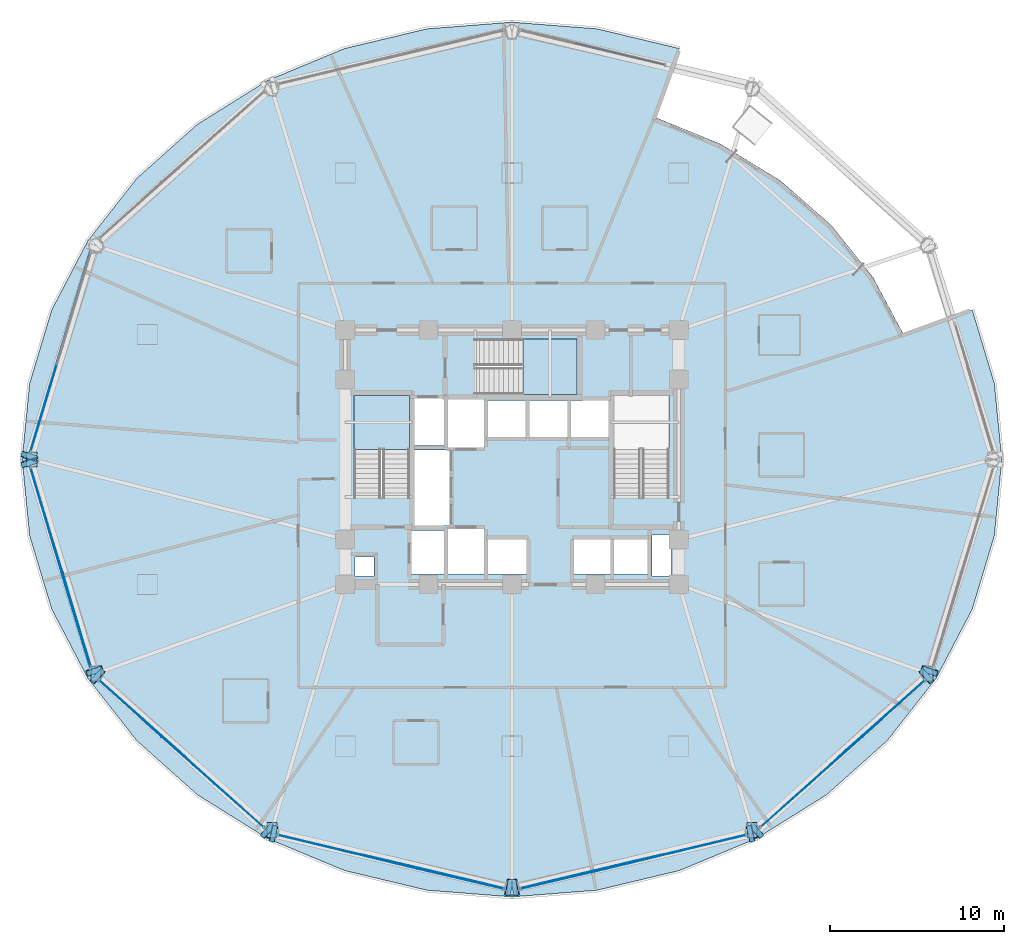
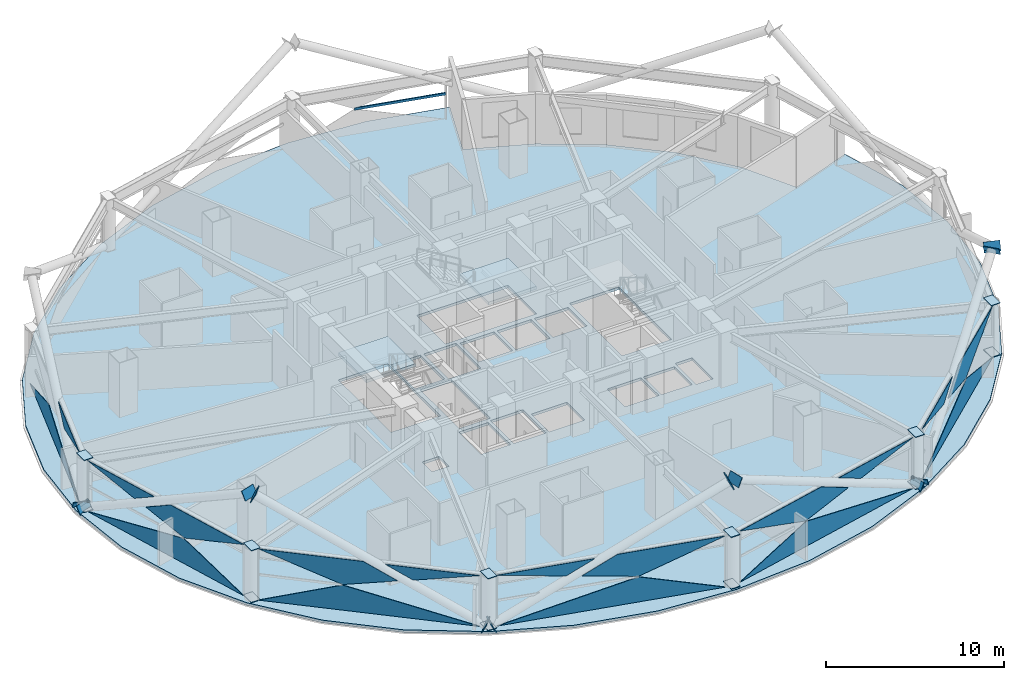
# One storey, part 22 of 33: 41 plates, 3 slabs, 1 member, 9 elements without a shape of their own.
"""IFC4 building model written with IfcOpenShell, lengths in metres."""

from ifc_helpers import new_model, si_unit, direction, frame, origin, origin_2d, place, context, subcontext, project, spatial, polyline, hollow_rectangle, outline, extrude, material, layer, layer_set, material_profile, profile_set, type_object, element, aggregate, save


model = new_model("IFC4")

# Units and contexts
model_context = context("Model", 3, precision=1e-05, world=origin(), true_north=direction((0.0, 1.0)))
body_context = subcontext(model_context, "Body", "Model", "MODEL_VIEW")
ifc_project = project(units=[si_unit("LENGTHUNIT", "METRE"), si_unit("AREAUNIT", "SQUARE_METRE"), si_unit("VOLUMEUNIT", "CUBIC_METRE"), si_unit("PLANEANGLEUNIT", "RADIAN"), si_unit("MASSUNIT", "GRAM", prefix="KILO")], contexts=[model_context])

# Site, building, storey
site_placement = place(None, origin())
site = spatial("IfcSite", under=ifc_project, at=site_placement, CompositionType="ELEMENT")
building_placement = place(site_placement, origin())
building = spatial("IfcBuilding", under=site, at=building_placement, Name="Vantalir Tower", CompositionType="ELEMENT")
storey_placement = place(building_placement, frame((0.0, 0.0, 72.0)))
storey = spatial("IfcBuildingStorey", under=building, at=storey_placement, Name="L17", CompositionType="ELEMENT", Elevation=72.0)

# Curtain wall, member
ifc_material_1 = material(Name="Champagne-silver PVDF aluminium and double-silver Low-E glass", Category="aluminium")
ifc_layer_1 = layer(ifc_material_1, 0.18994140625)
ifc_layer_set_1 = layer_set([ifc_layer_1], Name="Champagne-silver PVDF aluminium and double-silver Low-E glass")
curtain_wall_type = type_object("IfcCurtainWallType", Name="CW-DIAMOND-Z1", PredefinedType="USERDEFINED", material=ifc_layer_set_1)
curtain_wall_1_placement = place(storey_placement, origin())
curtain_wall_1 = element("IfcCurtainWall", 1, at=curtain_wall_1_placement, inside=storey, type_object=curtain_wall_type, Name="L17 Quilted Pyramid-Diamond Curtain Wall S03", ObjectType="UNITISED CURTAIN WALL", PredefinedType="USERDEFINED")
ifc_material_2 = material(Name="Champagne-silver PVDF aluminium 6063-T6", Category="aluminium")
ifc_material_profile = material_profile(ifc_material_2, hollow_rectangle(XDim=0.074951171875, YDim=0.159912109375, WallThickness=0.00390625, at=origin_2d()), Name="Champagne-silver PVDF aluminium 6063-T6")
ifc_profile_set = profile_set([ifc_material_profile], Name="Champagne-silver PVDF aluminium 6063-T6")
member_type = type_object("IfcMemberType", Name="CWT-160x75", PredefinedType="USERDEFINED", material=ifc_profile_set)
member_placement = place(storey_placement, frame((40.322998046875, 47.7119140625, 1.784912109375), z_axis=(-0.971605075391, 0.236608489862, 0.0), x_axis=(-0.236608489862, -0.971605075391, 0.0)))
member = element("IfcMember", 2, at=member_placement, type_object=member_type, Name="CW-L17-S03 Pyramid Fold Ridge Transom", ObjectType="TRANSOM", PredefinedType="USERDEFINED", context=body_context, shape_type="SweptSolid", body=[
    extrude(hollow_rectangle(XDim=0.074951171875, YDim=0.159912109375, WallThickness=0.00390625, at=origin_2d()), origin(), (0.0, 0.0, 1.0), 5.33447265625),
])
aggregate(curtain_wall_1, [member])

# Curtain wall, plates
curtain_wall_2_placement = place(storey_placement, origin())
curtain_wall_2 = element("IfcCurtainWall", 3, at=curtain_wall_2_placement, inside=storey, type_object=curtain_wall_type, Name="L17 Quilted Pyramid-Diamond Curtain Wall S06", ObjectType="UNITISED CURTAIN WALL", PredefinedType="USERDEFINED")
ifc_material_3 = material(Name="Double-silver Low-E laminated glass IGU", Category="glass")
ifc_layer_2 = layer(ifc_material_3, 0.028076171875)
ifc_layer_set_2 = layer_set([ifc_layer_2], Name="Double-silver Low-E laminated glass IGU")
plate_type_1 = type_object("IfcPlateType", Name="CWP-IGU-28", PredefinedType="CURTAIN_PANEL", material=ifc_layer_set_2)
plate_1_placement = place(storey_placement, frame((7.25048828125, 36.944580078125, 0.046630859375), z_axis=(0.957577021305, -0.287845629193, 0.013825412226), x_axis=(-0.287872873101, -0.957668631896, -2.0365962e-05)))
plate_1 = element("IfcPlate", 4, at=plate_1_placement, type_object=plate_type_1, Name="CW-L17-S06 Pyramid Diamond Facet 1L", PredefinedType="CURTAIN_PANEL", context=body_context, shape_type="SweptSolid", body=[
    extrude(outline(polyline([(0.0, 0.0), (11.987679482251043, 1.5178830414797062e-18), (4.561252137048785, -1.7270646004700452), (0.0, 0.0)])), origin(), (0.0, 0.0, -1.0), 0.028076171875),
])
plate_2_placement = place(storey_placement, frame((5.24365234375, 30.380126953125, 3.52392578125), z_axis=(-0.957590852054, 0.287797314008, 0.013873215627), x_axis=(-0.287824380109, -0.957683206465, 4.7653043e-05)))
plate_2 = element("IfcPlate", 5, at=plate_2_placement, type_object=plate_type_1, Name="CW-L17-S06 Pyramid Diamond Facet 2U Infill Light", PredefinedType="CURTAIN_PANEL", context=body_context, shape_type="SweptSolid", body=[
    extrude(outline(polyline([(0.0, 0.0), (5.123295581989194, 2.710505431213761e-19), (1.5151835797944286, -0.8390201369182241), (0.0, 0.0)])), origin(), (0.0, 0.0, -1.0), 0.028076171875),
])
aggregate(curtain_wall_2, [plate_1, plate_2])

curtain_wall_3_placement = place(storey_placement, origin())
curtain_wall_3 = element("IfcCurtainWall", 6, at=curtain_wall_3_placement, inside=storey, type_object=curtain_wall_type, Name="L17 Quilted Pyramid-Diamond Curtain Wall S07", ObjectType="UNITISED CURTAIN WALL", PredefinedType="USERDEFINED")
plate_3_placement = place(storey_placement, frame((3.799560546875, 24.53564453125, 0.04638671875), z_axis=(0.957584028296, 0.28782325145, 0.013805965281), x_axis=(0.287850416265, -0.95767538208, 2.0364373e-05)))
plate_3 = element("IfcPlate", 7, at=plate_3_placement, type_object=plate_type_1, Name="CW-L17-S07 Pyramid Diamond Facet 1L", PredefinedType="CURTAIN_PANEL", context=body_context, shape_type="SweptSolid", body=[
    extrude(outline(polyline([(0.0, 0.0), (11.988614708820492, -7.020209066843641e-18), (7.426895515259824, -1.7270641386308458), (0.0, 0.0)])), origin(), (0.0, 0.0, -1.0), 0.028076171875),
])
plate_4_placement = place(storey_placement, frame((5.625, 18.46240234375, 3.5234375), z_axis=(-0.957579683842, -0.287837405297, 0.013812212168), x_axis=(0.2878648631, -0.957671039863, -1.91586e-07)))
plate_4 = element("IfcPlate", 8, at=plate_4_placement, type_object=plate_type_1, Name="CW-L17-S07 Pyramid Diamond Facet 2U", PredefinedType="CURTAIN_PANEL", context=body_context, shape_type="SweptSolid", body=[
    extrude(outline(polyline([(0.0, 0.0), (5.6469666656558335, 0.0), (1.0852122774741506, -1.7269711739384859), (-1.8755327459210014, -1.0384305784933598), (0.0, 0.0)])), origin(), (0.0, 0.0, -1.0), 0.028076171875),
])
plate_5_placement = place(storey_placement, frame((3.76904296875, 24.5263671875, 3.524169921875), z_axis=(-0.957599200058, -0.287771183012, 0.013839012823), x_axis=(0.287798111792, -0.957691100814, -4.7648694e-05)))
plate_5 = element("IfcPlate", 9, at=plate_5_placement, type_object=plate_type_1, Name="CW-L17-S07 Pyramid Diamond Facet 2U Infill Light", PredefinedType="CURTAIN_PANEL", context=body_context, shape_type="SweptSolid", body=[
    extrude(outline(polyline([(0.0, 0.0), (5.123763202669769, -3.415236843329339e-18), (3.608346127762809, -0.8390197437516272), (0.0, 0.0)])), origin(), (0.0, 0.0, -1.0), 0.028076171875),
])
aggregate(curtain_wall_3, [plate_3, plate_4, plate_5])

curtain_wall_4_placement = place(storey_placement, origin())
curtain_wall_4 = element("IfcCurtainWall", 10, at=curtain_wall_4_placement, inside=storey, type_object=curtain_wall_type, Name="L17 Quilted Pyramid-Diamond Curtain Wall S08", ObjectType="UNITISED CURTAIN WALL", PredefinedType="USERDEFINED")
plate_6_placement = place(storey_placement, frame((7.751953125, 12.267333984375, 0.04638671875), z_axis=(0.665378586207, 0.746382477612, 0.013584333999), x_axis=(0.746451527572, -0.665439791879, -1.9251838e-05)))
plate_6 = element("IfcPlate", 11, at=plate_6_placement, type_object=plate_type_1, Name="CW-L17-S08 Pyramid Diamond Facet 1L", PredefinedType="CURTAIN_PANEL", context=body_context, shape_type="SweptSolid", body=[
    extrude(outline(polyline([(0.0, 0.0), (12.681418824235399, 1.0842021724855044e-17), (4.820941636275455, -1.7275471372424813), (0.0, 0.0)])), origin(), (0.0, 0.0, -1.0), 0.028076171875),
])
plate_7_placement = place(storey_placement, frame((7.751953125, 12.267333984375, 3.5234375), z_axis=(-0.66538170346, -0.746380075695, 0.013563602257), x_axis=(0.746449108007, -0.66544250503, 4.0679196e-05)))
plate_7 = element("IfcPlate", 12, at=plate_7_placement, type_object=plate_type_1, Name="CW-L17-S08 Pyramid Diamond Facet 2U", PredefinedType="CURTAIN_PANEL", context=body_context, shape_type="SweptSolid", body=[
    extrude(outline(polyline([(0.0, 0.0), (5.994872137092678, 8.809142651444724e-18), (7.9635532552939114, -1.0370404427822784), (4.820904717025381, -1.7274060711379469), (0.0, 0.0)])), origin(), (0.0, 0.0, -1.0), 0.028076171875),
])
plate_8_placement = place(storey_placement, frame((13.150146484375, 7.412109375, 3.524169921875), z_axis=(-0.665375855815, -0.746386356939, 0.013504690773), x_axis=(0.746454427981, -0.665436538633, 0.0)))
plate_8 = element("IfcPlate", 13, at=plate_8_placement, type_object=plate_type_1, Name="CW-L17-S08 Pyramid Diamond Facet 2U Infill Light", PredefinedType="CURTAIN_PANEL", context=body_context, shape_type="SweptSolid", body=[
    extrude(outline(polyline([(0.0, 0.0), (5.4211358492731545, -6.938893903907228e-18), (1.596068540816546, -0.8406528331038364), (0.0, 0.0)])), origin(), (0.0, 0.0, -1.0), 0.028076171875),
])
aggregate(curtain_wall_4, [plate_6, plate_7, plate_8])

curtain_wall_5_placement = place(storey_placement, origin())
curtain_wall_5 = element("IfcCurtainWall", 14, at=curtain_wall_5_placement, inside=storey, type_object=curtain_wall_type, Name="L17 Quilted Pyramid-Diamond Curtain Wall S09", ObjectType="UNITISED CURTAIN WALL", PredefinedType="USERDEFINED")
plate_9_placement = place(storey_placement, frame((18.0517578125, 3.393310546875, 0.046142578125), z_axis=(0.232303727276, 0.972544233892, 0.013881333373), x_axis=(0.972637888716, -0.232326359029, 1.8299178e-05)))
plate_9 = element("IfcPlate", 15, at=plate_9_placement, type_object=plate_type_1, Name="CW-L17-S09 Pyramid Diamond Facet 1L", PredefinedType="CURTAIN_PANEL", context=body_context, shape_type="SweptSolid", body=[
    extrude(outline(polyline([(0.0, 0.0), (13.341617317761697, -9.269928574751063e-18), (8.265454593161866, -1.7277984263753872), (0.0, 0.0)])), origin(), (0.0, 0.0, -1.0), 0.028076171875),
])
plate_10_placement = place(storey_placement, frame((24.8984375, 1.7578125, 3.523681640625), z_axis=(-0.232302875493, -0.972545099834, 0.013834841061), x_axis=(0.972638187668, -0.232325108179, 1.64873e-07)))
plate_10 = element("IfcPlate", 16, at=plate_10_placement, type_object=plate_type_1, Name="CW-L17-S09 Pyramid Diamond Facet 2U", PredefinedType="CURTAIN_PANEL", context=body_context, shape_type="SweptSolid", body=[
    extrude(outline(polyline([(0.0, 0.0), (6.302307932058378, 3.469446951953614e-18), (1.2261132783989568, -1.727704616339445), (-2.071173237141784, -1.0384280813563243), (0.0, 0.0)])), origin(), (0.0, 0.0, -1.0), 0.028076171875),
])
plate_11_placement = place(storey_placement, frame((18.044189453125, 3.3623046875, 3.524169921875), z_axis=(-0.23230347241, -0.972544223394, 0.013886333178), x_axis=(0.97263800493, -0.232325873218, 0.0)))
plate_11 = element("IfcPlate", 17, at=plate_11_placement, type_object=plate_type_1, Name="CW-L17-S09 Pyramid Diamond Facet 2U Infill Light", PredefinedType="CURTAIN_PANEL", context=body_context, shape_type="SweptSolid", body=[
    extrude(outline(polyline([(0.0, 0.0), (5.7240029530844145, 0.0), (4.039774659661737, -0.8445638545300994), (0.0, 0.0)])), origin(), (0.0, 0.0, -1.0), 0.028076171875),
])
aggregate(curtain_wall_5, [plate_9, plate_10, plate_11])

curtain_wall_6_placement = place(storey_placement, origin())
curtain_wall_6 = element("IfcCurtainWall", 18, at=curtain_wall_6_placement, inside=storey, type_object=curtain_wall_type, Name="L17 Quilted Pyramid-Diamond Curtain Wall S10", ObjectType="UNITISED CURTAIN WALL", PredefinedType="USERDEFINED")
plate_12_placement = place(storey_placement, frame((31.9716796875, 0.293701171875, 0.04638671875), z_axis=(-0.232303727276, 0.972544233892, 0.013881333373), x_axis=(0.972637888716, 0.232326359029, -1.8299178e-05)))
plate_12 = element("IfcPlate", 19, at=plate_12_placement, type_object=plate_type_1, Name="CW-L17-S10 Pyramid Diamond Facet 1L", PredefinedType="CURTAIN_PANEL", context=body_context, shape_type="SweptSolid", body=[
    extrude(outline(polyline([(0.0, 0.0), (13.341617317761697, 9.269928574751063e-18), (5.07616272459983, -1.7277984263753872), (0.0, 0.0)])), origin(), (0.0, 0.0, -1.0), 0.028076171875),
])
plate_13_placement = place(storey_placement, frame((31.9716796875, 0.293701171875, 3.523681640625), z_axis=(0.232302875493, -0.972545099834, 0.013834841061), x_axis=(0.972638187668, 0.232325108179, -1.64873e-07)))
plate_13 = element("IfcPlate", 20, at=plate_13_placement, type_object=plate_type_1, Name="CW-L17-S10 Pyramid Diamond Facet 2U", PredefinedType="CURTAIN_PANEL", context=body_context, shape_type="SweptSolid", body=[
    extrude(outline(polyline([(0.0, 0.0), (6.302307932058378, -3.469446951953614e-18), (8.373481169200161, -1.0384280813563243), (5.076194653659422, -1.727704616339445), (0.0, 0.0)])), origin(), (0.0, 0.0, -1.0), 0.028076171875),
])
plate_14_placement = place(storey_placement, frame((39.388427734375, 2.032470703125, 3.524169921875), z_axis=(0.23230347241, -0.972544223394, 0.013886333178), x_axis=(0.97263800493, 0.232325873218, 0.0)))
plate_14 = element("IfcPlate", 21, at=plate_14_placement, type_object=plate_type_1, Name="CW-L17-S10 Pyramid Diamond Facet 2U Infill Light", PredefinedType="CURTAIN_PANEL", context=body_context, shape_type="SweptSolid", body=[
    extrude(outline(polyline([(0.0, 0.0), (5.7240029530844145, 0.0), (1.684228293422677, -0.8445638545300994), (0.0, 0.0)])), origin(), (0.0, 0.0, -1.0), 0.028076171875),
])
aggregate(curtain_wall_6, [plate_12, plate_13, plate_14])

curtain_wall_7_placement = place(storey_placement, origin())
curtain_wall_7 = element("IfcCurtainWall", 22, at=curtain_wall_7_placement, inside=storey, type_object=curtain_wall_type, Name="L17 Quilted Pyramid-Diamond Curtain Wall S11", ObjectType="UNITISED CURTAIN WALL", PredefinedType="USERDEFINED")
plate_15_placement = place(storey_placement, frame((45.781982421875, 3.82861328125, 0.046142578125), z_axis=(-0.665378586207, 0.746382477612, 0.013584333999), x_axis=(0.746451527572, 0.665439791879, 1.9251838e-05)))
plate_15 = element("IfcPlate", 23, at=plate_15_placement, type_object=plate_type_1, Name="CW-L17-S11 Pyramid Diamond Facet 1L", PredefinedType="CURTAIN_PANEL", context=body_context, shape_type="SweptSolid", body=[
    extrude(outline(polyline([(0.0, 0.0), (12.681418824235399, -1.0842021724855044e-17), (7.860477187959941, -1.7275471372424813), (0.0, 0.0)])), origin(), (0.0, 0.0, -1.0), 0.028076171875),
])
plate_16_placement = place(storey_placement, frame((50.773193359375, 8.278076171875, 3.523681640625), z_axis=(0.66538170346, -0.746380075695, 0.013563602257), x_axis=(0.746449108007, 0.66544250503, -4.0679196e-05)))
plate_16 = element("IfcPlate", 24, at=plate_16_placement, type_object=plate_type_1, Name="CW-L17-S11 Pyramid Diamond Facet 2U", PredefinedType="CURTAIN_PANEL", context=body_context, shape_type="SweptSolid", body=[
    extrude(outline(polyline([(0.0, 0.0), (5.994872137092678, -8.809142651444724e-18), (1.1739674200672974, -1.7274060711379469), (-1.9686811182012338, -1.0370404427822784), (0.0, 0.0)])), origin(), (0.0, 0.0, -1.0), 0.028076171875),
])
plate_17_placement = place(storey_placement, frame((45.80322265625, 3.8046875, 3.524169921875), z_axis=(0.665375855815, -0.746386356939, 0.013504690773), x_axis=(0.746454427981, 0.665436538633, 0.0)))
plate_17 = element("IfcPlate", 25, at=plate_17_placement, type_object=plate_type_1, Name="CW-L17-S11 Pyramid Diamond Facet 2U Infill Light", PredefinedType="CURTAIN_PANEL", context=body_context, shape_type="SweptSolid", body=[
    extrude(outline(polyline([(0.0, 0.0), (5.4211358492731545, 6.938893903907228e-18), (3.825067308456609, -0.8406528331038364), (0.0, 0.0)])), origin(), (0.0, 0.0, -1.0), 0.028076171875),
])
aggregate(curtain_wall_7, [plate_15, plate_16, plate_17])

# Plates
ifc_material_4 = material(Name="Steel S460", Category="steel")
ifc_layer_3 = layer(ifc_material_4, 0.0400390625)
ifc_layer_set_3 = layer_set([ifc_layer_3], Name="Steel S460")
plate_type_2 = type_object("IfcPlateType", Name="PLT-KN-Z1", PredefinedType="USERDEFINED", material=ifc_layer_set_3)
plate_18_placement = place(storey_placement, frame((55.031005859375, 12.8125, 6.877685546875), z_axis=(-0.261240839993, -0.834981479976, 0.484313071903), x_axis=(0.954379331281, -0.298596872092, 0.0)))
element("IfcPlate", 26, at=plate_18_placement, inside=storey, type_object=plate_type_2, Name="Node Cap Plate MEM-DG-L17-R01R End", ObjectType="FLANGE_PLATE", PredefinedType="USERDEFINED", context=body_context, shape_type="SweptSolid", body=[
    extrude(outline(polyline([(0.0, 0.0), (0.9500816410521291, 0.0), (0.9500094942612325, 0.6200522519535423), (-7.214679089660725e-05, 0.6200522519535423), (0.0, 0.0)])), origin(), (0.0, 0.0, -1.0), 0.0400390625),
])
plate_19_placement = place(storey_placement, frame((3.31103515625, 24.524658203125, -0.080810546875), z_axis=(0.261162207707, -0.835089487237, 0.484169236499), x_axis=(0.954424519356, 0.298452398471, -5.1953242e-05)))
element("IfcPlate", 27, at=plate_19_placement, inside=storey, type_object=plate_type_2, Name="Node Cap Plate MEM-DG-L17-R19L Start", ObjectType="FLANGE_PLATE", PredefinedType="USERDEFINED", context=body_context, shape_type="SweptSolid", body=[
    extrude(outline(polyline([(0.0, 0.0), (0.9500087645294669, 0.0), (0.9500072696803262, 0.6200522477694077), (-7.435920423633501e-05, 0.619939426343857), (0.0, 0.0)])), origin(), (0.0, 0.0, -1.0), 0.0400390625),
])
plate_20_placement = place(storey_placement, frame((7.062255859375, 12.52880859375, 6.877685546875), z_axis=(0.261240839993, -0.834981479976, 0.484313071903), x_axis=(0.954379331281, 0.298596872092, 0.0)))
element("IfcPlate", 28, at=plate_20_placement, inside=storey, type_object=plate_type_2, Name="Node Cap Plate MEM-DG-L17-R19L End", ObjectType="FLANGE_PLATE", PredefinedType="USERDEFINED", context=body_context, shape_type="SweptSolid", body=[
    extrude(outline(polyline([(0.0, 0.0), (0.9500816410521291, 0.0), (0.9501537878430257, 0.6200522519535423), (7.214679089660725e-05, 0.6200522519535423), (0.0, 0.0)])), origin(), (0.0, 0.0, -1.0), 0.0400390625),
])
plate_21_placement = place(storey_placement, frame((4.2177734375, 25.19189453125, -0.080810546875), z_axis=(0.261114680046, 0.834937513295, 0.484456884312), x_axis=(-0.954407348146, 0.298507304943, -5.1970661e-05)))
element("IfcPlate", 29, at=plate_21_placement, inside=storey, type_object=plate_type_2, Name="Node Cap Plate MEM-DG-L17-R19R Start", ObjectType="FLANGE_PLATE", PredefinedType="USERDEFINED", context=body_context, shape_type="SweptSolid", body=[
    extrude(outline(polyline([(0.0, 0.0), (0.9500816355852792, -2.7755575615628914e-17), (0.949936600100272, 0.6201651233705399), (-7.21577250113265e-05, 0.6200522435756315), (0.0, 0.0)])), origin(), (0.0, 0.0, -1.0), 0.0400390625),
])
plate_22_placement = place(storey_placement, frame((17.807861328125, 2.96630859375, -0.094970703125), z_axis=(0.871286829879, -0.19973211141, 0.448292698749), x_axis=(0.223466812961, 0.974711537321, -5.0185253e-05)))
element("IfcPlate", 30, at=plate_22_placement, inside=storey, type_object=plate_type_2, Name="Node Cap Plate MEM-DG-L17-R25L Start", ObjectType="FLANGE_PLATE", PredefinedType="USERDEFINED", context=body_context, shape_type="SweptSolid", body=[
    extrude(outline(polyline([(0.0, 0.0), (0.9500725069175502, 1.3877787807814457e-17), (0.9501675652928381, 0.6200414732654709), (0.0001496157026709038, 0.6199347969856953), (0.0, 0.0)])), origin(), (0.0, 0.0, -1.0), 0.0400390625),
])
plate_23_placement = place(storey_placement, frame((31.365478515625, -0.1416015625, 6.878662109375), z_axis=(0.871386809735, -0.199640162842, 0.448139301111), x_axis=(0.223320202055, 0.974745139693, 0.0)))
element("IfcPlate", 31, at=plate_23_placement, inside=storey, type_object=plate_type_2, Name="Node Cap Plate MEM-DG-L17-R25L End", ObjectType="FLANGE_PLATE", PredefinedType="USERDEFINED", context=body_context, shape_type="SweptSolid", body=[
    extrude(outline(polyline([(0.0, 0.0), (0.9500179615330506, 0.0), (0.9502371769976814, 0.6199347854050556), (0.00021921546463094655, 0.6199347854050556), (0.0, 0.0)])), origin(), (0.0, 0.0, -1.0), 0.0400390625),
])
plate_24_placement = place(storey_placement, frame((17.6435546875, 4.09033203125, -0.088134765625), z_axis=(-0.654672476037, 0.595322175153, 0.465827711595), x_axis=(-0.672775114666, -0.739847041682, 0.0)))
element("IfcPlate", 32, at=plate_24_placement, inside=storey, type_object=plate_type_2, Name="Node Cap Plate MEM-DG-L17-R25R Start", ObjectType="FLANGE_PLATE", PredefinedType="USERDEFINED", context=body_context, shape_type="SweptSolid", body=[
    extrude(outline(polyline([(0.0, 0.0), (0.950035371874786, 0.0), (0.9500939704700261, 0.6199561655787587), (5.859859524004474e-05, 0.6199561655787587), (0.0, 0.0)])), origin(), (0.0, 0.0, -1.0), 0.0400390625),
])
plate_25_placement = place(storey_placement, frame((7.85595703125, 12.99365234375, 6.878173828125), z_axis=(-0.654559294456, 0.595446610691, 0.465827719074), x_axis=(-0.67291574258, -0.739719138178, 0.0)))
element("IfcPlate", 33, at=plate_25_placement, inside=storey, type_object=plate_type_2, Name="Node Cap Plate MEM-DG-L17-R25R End", ObjectType="FLANGE_PLATE", PredefinedType="USERDEFINED", context=body_context, shape_type="SweptSolid", body=[
    extrude(outline(polyline([(0.0, 0.0), (0.9501996407797424, -2.7755575615628914e-17), (0.9502033417641365, 0.6199561683370973), (3.7009843940196937e-06, 0.6199561683370973), (0.0, 0.0)])), origin(), (0.0, 0.0, -1.0), 0.0400390625),
])
plate_26_placement = place(storey_placement, frame((45.99560546875, 3.387451171875, -0.088134765625), z_axis=(0.654672476037, 0.595322175153, 0.465827711595), x_axis=(-0.672775114666, 0.739847041682, 0.0)))
element("IfcPlate", 34, at=plate_26_placement, inside=storey, type_object=plate_type_2, Name="Node Cap Plate MEM-DG-L17-R31L Start", ObjectType="FLANGE_PLATE", PredefinedType="USERDEFINED", context=body_context, shape_type="SweptSolid", body=[
    extrude(outline(polyline([(0.0, 0.0), (0.950035371874786, 0.0), (0.9499767732795461, 0.6199561655787587), (-5.859859524004474e-05, 0.6199561655787587), (0.0, 0.0)])), origin(), (0.0, 0.0, -1.0), 0.0400390625),
])
plate_27_placement = place(storey_placement, frame((55.783447265625, 12.290771484375, 6.878173828125), z_axis=(0.654559294456, 0.595446610691, 0.465827719074), x_axis=(-0.67291574258, 0.739719138178, 0.0)))
element("IfcPlate", 35, at=plate_27_placement, inside=storey, type_object=plate_type_2, Name="Node Cap Plate MEM-DG-L17-R31L End", ObjectType="FLANGE_PLATE", PredefinedType="USERDEFINED", context=body_context, shape_type="SweptSolid", body=[
    extrude(outline(polyline([(0.0, 0.0), (0.9501996407797424, 2.7755575615628914e-17), (0.9501959397953484, 0.6199561683370973), (-3.7009843940196937e-06, 0.6199561683370973), (0.0, 0.0)])), origin(), (0.0, 0.0, -1.0), 0.0400390625),
])
plate_28_placement = place(storey_placement, frame((44.979736328125, 3.892333984375, -0.094970703125), z_axis=(-0.871286829879, -0.19973211141, 0.448292698749), x_axis=(0.223466812961, -0.974711537321, 5.0185253e-05)))
element("IfcPlate", 36, at=plate_28_placement, inside=storey, type_object=plate_type_2, Name="Node Cap Plate MEM-DG-L17-R31R Start", ObjectType="FLANGE_PLATE", PredefinedType="USERDEFINED", context=body_context, shape_type="SweptSolid", body=[
    extrude(outline(polyline([(0.0, 0.0), (0.9500725069175502, -1.3877787807814457e-17), (0.9499228912148794, 0.6199347969856953), (-9.50583752878697e-05, 0.6200414732654709), (0.0, 0.0)])), origin(), (0.0, 0.0, -1.0), 0.0400390625),
])
plate_29_placement = place(storey_placement, frame((31.42236328125, 0.784423828125, 6.878662109375), z_axis=(-0.871386809735, -0.199640162842, 0.448139301111), x_axis=(0.223320202055, -0.974745139693, 0.0)))
element("IfcPlate", 37, at=plate_29_placement, inside=storey, type_object=plate_type_2, Name="Node Cap Plate MEM-DG-L17-R31R End", ObjectType="FLANGE_PLATE", PredefinedType="USERDEFINED", context=body_context, shape_type="SweptSolid", body=[
    extrude(outline(polyline([(0.0, 0.0), (0.9500179615330506, 0.0), (0.9497987460684196, 0.6199347854050556), (-0.00021921546463094655, 0.6199347854050556), (0.0, 0.0)])), origin(), (0.0, 0.0, -1.0), 0.0400390625),
])
ifc_layer_4 = layer(ifc_material_4, 0.035888671875)
ifc_layer_set_4 = layer_set([ifc_layer_4], Name="Steel S460")
plate_type_3 = type_object("IfcPlateType", Name="PLT-KN-Z2", PredefinedType="USERDEFINED", material=ifc_layer_set_4)
for number, where, z_axis, x_axis, name in (
    (38, (3.56005859375, 25.43994140625, 3.597900390625), (0.0, 0.0, 1.0), (0.0, -1.0, 0.0), "L17 Ring Column Top Cap RC07"),
    (39, (3.56005859375, 25.43994140625, 0.052978515625), (0.0, 0.0, 1.0), (0.0, -1.0, 0.0), "L17 Ring Column Base Cap RC07"),
):
    element("IfcPlate", number, at=place(storey_placement, frame(where, z_axis=z_axis, x_axis=x_axis)), inside=storey, type_object=plate_type_3, Name=name, ObjectType="FLANGE_PLATE", PredefinedType="USERDEFINED", context=body_context, shape_type="SweptSolid", body=[
        extrude(outline(polyline([(0.0, 0.0), (0.8798828125, 0.0), (0.8798828125, 0.579833984375), (0.0, 0.579833984375), (0.0, 0.0)])), origin(), (0.0, 0.0, -1.0), 0.035888671875),
    ])
for number, where, z_axis, x_axis, name in (
    (40, (7.263916015625, 13.125, 3.597900390625), (0.0, 0.0, 1.0), (0.0, -1.0, 0.0), "L17 Ring Column Top Cap RC08"),
    (41, (7.263916015625, 13.125, 0.052978515625), (0.0, 0.0, 1.0), (0.0, -1.0, 0.0), "L17 Ring Column Base Cap RC08"),
):
    element("IfcPlate", number, at=place(storey_placement, frame(where, z_axis=z_axis, x_axis=x_axis)), inside=storey, type_object=plate_type_3, Name=name, ObjectType="FLANGE_PLATE", PredefinedType="USERDEFINED", context=body_context, shape_type="SweptSolid", body=[
        extrude(outline(polyline([(0.0, 0.0), (0.8798828125, 0.0), (0.8798828125, 0.580078125), (0.0, 0.580078125), (0.0, 0.0)])), origin(), (0.0, 0.0, -1.0), 0.035888671875),
    ])
for number, where, z_axis, x_axis, name in (
    (42, (17.385009765625, 4.111083984375, 3.597900390625), (0.0, 0.0, 1.0), (0.0, -1.0, 0.0), "L17 Ring Column Top Cap RC09"),
    (43, (17.385009765625, 4.111083984375, 0.052978515625), (0.0, 0.0, 1.0), (0.0, -1.0, 0.0), "L17 Ring Column Base Cap RC09"),
    (44, (31.2099609375, 0.81103515625, 3.597900390625), (0.0, 0.0, 1.0), (0.0, -1.0, 0.0), "L17 Ring Column Top Cap RC10"),
    (45, (31.2099609375, 0.81103515625, 0.052978515625), (0.0, 0.0, 1.0), (0.0, -1.0, 0.0), "L17 Ring Column Base Cap RC10"),
    (46, (45.034912109375, 4.111083984375, 3.597900390625), (0.0, 0.0, 1.0), (0.0, -1.0, 0.0), "L17 Ring Column Top Cap RC11"),
    (47, (45.034912109375, 4.111083984375, 0.052978515625), (0.0, 0.0, 1.0), (0.0, -1.0, 0.0), "L17 Ring Column Base Cap RC11"),
):
    element("IfcPlate", number, at=place(storey_placement, frame(where, z_axis=z_axis, x_axis=x_axis)), inside=storey, type_object=plate_type_3, Name=name, ObjectType="FLANGE_PLATE", PredefinedType="USERDEFINED", context=body_context, shape_type="SweptSolid", body=[
        extrude(outline(polyline([(0.0, 0.0), (0.880126953125, 0.0), (0.880126953125, 0.580078125), (0.0, 0.580078125), (0.0, 0.0)])), origin(), (0.0, 0.0, -1.0), 0.035888671875),
    ])
for number, where, z_axis, x_axis, name in (
    (48, (55.156005859375, 13.125, 3.597900390625), (0.0, 0.0, 1.0), (0.0, -1.0, 0.0), "L17 Ring Column Top Cap RC12"),
    (49, (55.156005859375, 13.125, 0.052978515625), (0.0, 0.0, 1.0), (0.0, -1.0, 0.0), "L17 Ring Column Base Cap RC12"),
):
    element("IfcPlate", number, at=place(storey_placement, frame(where, z_axis=z_axis, x_axis=x_axis)), inside=storey, type_object=plate_type_3, Name=name, ObjectType="FLANGE_PLATE", PredefinedType="USERDEFINED", context=body_context, shape_type="SweptSolid", body=[
        extrude(outline(polyline([(0.0, 0.0), (0.8798828125, 0.0), (0.8798828125, 0.580078125), (0.0, 0.580078125), (0.0, 0.0)])), origin(), (0.0, 0.0, -1.0), 0.035888671875),
    ])

# Stair, slab
ifc_material_5 = material(Name="Concrete C40/50", Category="concrete")
stair_type = type_object("IfcStairType", Name="STR-CORE-1450", PredefinedType="HALF_TURN_STAIR", material=ifc_material_5)
stair_1_placement = place(storey_placement, origin())
stair_1 = element("IfcStair", 50, at=stair_1_placement, inside=storey, type_object=stair_type, Name="L17 Core Exit Stair 1", PredefinedType="HALF_TURN_STAIR")
ifc_layer_5 = layer(ifc_material_5, 0.199951171875)
ifc_layer_set_5 = layer_set([ifc_layer_5], Name="Concrete C40/50")
slab_type_1 = type_object("IfcSlabType", Name="SL-LAND-200", PredefinedType="LANDING", material=ifc_layer_set_5)
slab_1_placement = place(storey_placement, frame((0.0, 0.0, 1.675048828125)))
slab_1 = element("IfcSlab", 51, at=slab_1_placement, type_object=slab_type_1, Name="ST1 landing 1", PredefinedType="LANDING", context=body_context, shape_type="SweptSolid", body=[
    extrude(outline(polyline([(25.60009765625, 25.590087890625), (25.60009765625, 28.699951171875), (22.39990234375, 28.699951171875), (22.39990234375, 25.590087890625), (25.60009765625, 25.590087890625)])), origin(), (0.0, 0.0, 1.0), 0.199951171875),
])
aggregate(stair_1, [slab_1])

stair_2_placement = place(storey_placement, origin())
stair_2 = element("IfcStair", 52, at=stair_2_placement, inside=storey, type_object=stair_type, Name="L17 Core Exit Stair 3", PredefinedType="HALF_TURN_STAIR")
slab_2_placement = place(storey_placement, frame((0.0, 0.0, 1.675048828125)))
slab_2 = element("IfcSlab", 53, at=slab_2_placement, type_object=slab_type_1, Name="ST3 landing 1", PredefinedType="LANDING", context=body_context, shape_type="SweptSolid", body=[
    extrude(outline(polyline([(32.139892578125, 28.75), (35.25, 28.75), (35.25, 31.949951171875), (32.139892578125, 31.949951171875), (32.139892578125, 28.75)])), origin(), (0.0, 0.0, 1.0), 0.199951171875),
])
aggregate(stair_2, [slab_2])

# Slab
ifc_layer_6 = layer(ifc_material_5, 0.179931640625)
ifc_layer_set_6 = layer_set([ifc_layer_6], Name="Concrete C40/50")
slab_type_2 = type_object("IfcSlabType", Name="SL-TWR-180", PredefinedType="FLOOR", material=ifc_layer_set_6)
slab_3_placement = place(storey_placement, frame((0.0, 0.0, -0.179931640625)))
element("IfcSlab", 54, at=slab_3_placement, inside=storey, type_object=slab_type_2, Name="L17 Primary Structural Slab", PredefinedType="FLOOR", context=body_context, shape_type="SweptSolid", body=[
    extrude(outline(polyline([(7.077880859375, 12.409912109375), (9.89794921875, 8.81494140625), (13.373046875, 5.7119140625), (17.39990234375, 3.194091796875), (21.85498046875, 1.339111328125), (26.60302734375, 0.2041015625), (31.5, -0.178955078125), (36.39697265625, 0.2041015625), (41.14501953125, 1.339111328125), (45.60009765625, 3.194091796875), (49.626953125, 5.7119140625), (53.10205078125, 8.81494140625), (55.922119140625, 12.409912109375), (57.9990234375, 16.387939453125), (59.27197265625, 20.6279296875), (59.699951171875, 25.0), (59.27197265625, 29.3720703125), (57.9990234375, 33.612060546875), (54.052978515625, 32.175048828125), (52.284912109375, 35.489013671875), (49.885009765625, 38.485107421875), (46.927001953125, 41.071044921875), (43.5, 43.16796875), (39.7080078125, 44.714111328125), (41.14501953125, 48.660888671875), (36.39697265625, 49.7958984375), (31.5, 50.178955078125), (26.60302734375, 49.7958984375), (21.85498046875, 48.660888671875), (17.39990234375, 46.805908203125), (13.373046875, 44.2880859375), (9.89794921875, 41.18505859375), (7.077880859375, 37.589111328125), (5.0009765625, 33.612060546875), (3.72802734375, 29.3720703125), (3.300048828125, 25.0), (3.72802734375, 20.6279296875), (5.0009765625, 16.387939453125), (7.077880859375, 12.409912109375)]), holes=[polyline([(22.39990234375, 22.7900390625), (22.39990234375, 28.699951171875), (25.60009765625, 28.699951171875), (25.60009765625, 22.7900390625), (22.39990234375, 22.7900390625)]), polyline([(37.35009765625, 28.699951171875), (40.550048828125, 28.699951171875), (40.550048828125, 22.7900390625), (37.35009765625, 22.7900390625), (37.35009765625, 28.699951171875)]), polyline([(35.25, 28.75), (29.340087890625, 28.75), (29.340087890625, 31.949951171875), (35.25, 31.949951171875), (35.25, 28.75)]), polyline([(27.60009765625, 18.39990234375), (25.699951171875, 18.39990234375), (25.699951171875, 20.89990234375), (27.60009765625, 20.89990234375), (27.60009765625, 18.39990234375)]), polyline([(25.699951171875, 25.800048828125), (25.699951171875, 28.5), (27.60009765625, 28.5), (27.60009765625, 25.800048828125), (25.699951171875, 25.800048828125)]), polyline([(27.800048828125, 21.0), (29.89990234375, 21.0), (29.89990234375, 18.39990234375), (27.800048828125, 18.39990234375), (27.800048828125, 21.0)]), polyline([(29.89990234375, 28.5), (29.89990234375, 25.699951171875), (27.800048828125, 25.699951171875), (27.800048828125, 28.5), (29.89990234375, 28.5)]), polyline([(32.39990234375, 18.39990234375), (30.10009765625, 18.39990234375), (30.10009765625, 20.39990234375), (32.39990234375, 20.39990234375), (32.39990234375, 18.39990234375)]), polyline([(37.35009765625, 18.39990234375), (37.35009765625, 20.39990234375), (39.35009765625, 20.39990234375), (39.35009765625, 18.39990234375), (37.35009765625, 18.39990234375)]), polyline([(35.0, 20.39990234375), (37.199951171875, 20.39990234375), (37.199951171875, 18.39990234375), (35.0, 18.39990234375), (35.0, 20.39990234375)]), polyline([(32.300048828125, 28.39990234375), (32.300048828125, 26.300048828125), (30.10009765625, 26.300048828125), (30.10009765625, 28.39990234375), (32.300048828125, 28.39990234375)]), polyline([(34.699951171875, 26.300048828125), (32.5, 26.300048828125), (32.5, 28.39990234375), (34.699951171875, 28.39990234375), (34.699951171875, 26.300048828125)]), polyline([(34.89990234375, 26.300048828125), (34.89990234375, 28.39990234375), (37.10009765625, 28.39990234375), (37.10009765625, 26.300048828125), (34.89990234375, 26.300048828125)]), polyline([(25.889892578125, 25.56005859375), (27.89990234375, 25.56005859375), (27.89990234375, 21.199951171875), (25.889892578125, 21.199951171875), (25.889892578125, 25.56005859375)]), polyline([(23.550048828125, 19.39990234375), (23.550048828125, 18.300048828125), (22.449951171875, 18.300048828125), (22.449951171875, 19.39990234375), (23.550048828125, 19.39990234375)]), polyline([(40.64990234375, 18.300048828125), (39.550048828125, 18.300048828125), (39.550048828125, 20.64990234375), (40.64990234375, 20.64990234375), (40.64990234375, 18.300048828125)])]), origin(), (0.0, 0.0, 1.0), 0.179931640625),
])

save(model, "model.ifc")
